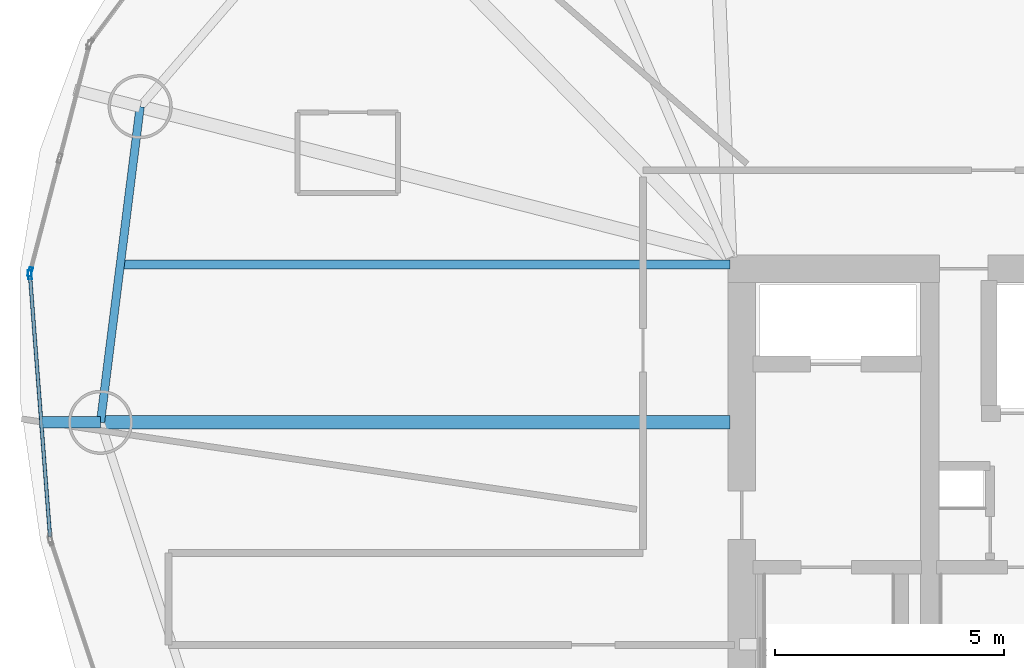
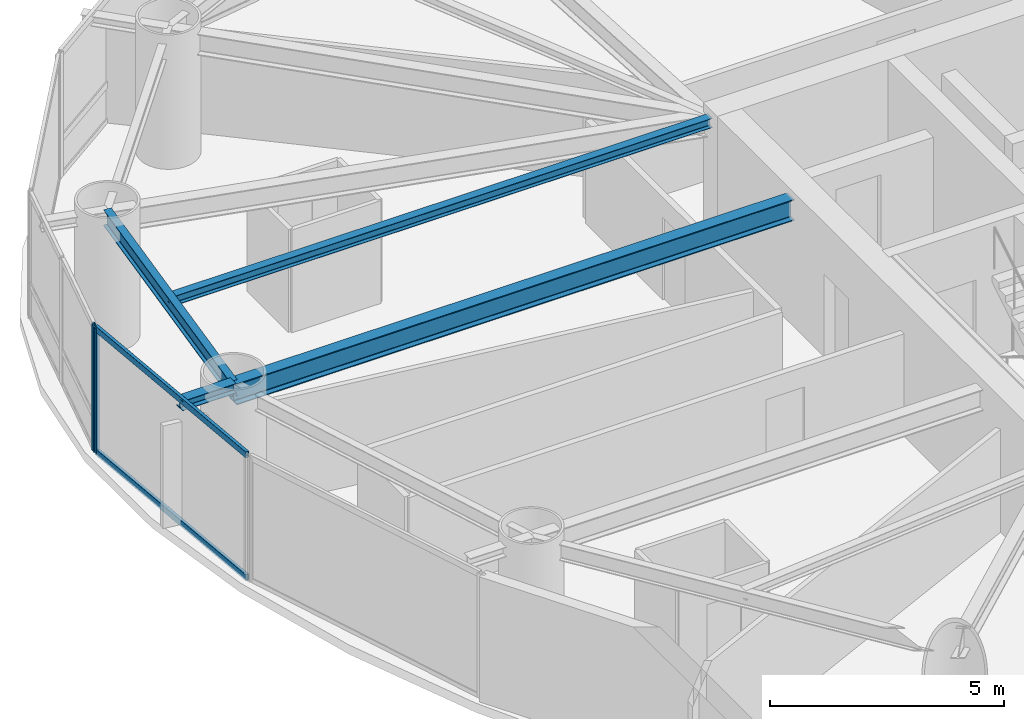
# One storey, part 6 of 22: 4 beams, 4 members, 2 elements without a shape of their own.
"""IFC4 building model written with IfcOpenShell, lengths in metres."""

from ifc_helpers import new_model, si_unit, direction, frame, origin, origin_2d, place, context, subcontext, project, spatial, hollow_rectangle, i_section, extrude, material, layer, layer_set, material_profile, profile_set, type_object, element, aggregate, save


model = new_model("IFC4")

# Units and contexts
model_context = context("Model", 3, precision=1e-05, world=origin(), true_north=direction((0.0, 1.0)))
body_context = subcontext(model_context, "Body", "Model", "MODEL_VIEW")
ifc_project = project(units=[si_unit("LENGTHUNIT", "METRE"), si_unit("AREAUNIT", "SQUARE_METRE"), si_unit("VOLUMEUNIT", "CUBIC_METRE"), si_unit("PLANEANGLEUNIT", "RADIAN"), si_unit("MASSUNIT", "GRAM", prefix="KILO")], contexts=[model_context])

# Site, building, storey
site_placement = place(None, origin())
site = spatial("IfcSite", under=ifc_project, at=site_placement, CompositionType="ELEMENT")
building_placement = place(site_placement, origin())
building = spatial("IfcBuilding", under=site, at=building_placement, Name="Bramvorn Convention Spire", CompositionType="ELEMENT")
storey_placement = place(building_placement, frame((0.0, 0.0, 134.300048828125)))
storey = spatial("IfcBuildingStorey", under=building, at=storey_placement, Name="L33", CompositionType="ELEMENT", Elevation=134.300048828125)

# Beams
ifc_material_1 = material(Name="Steel CSA G40.21 Grade 350 (350W)", Category="steel")
ifc_material_profile_1 = material_profile(ifc_material_1, i_section(OverallWidth=0.201904296875, OverallDepth=0.2470703125, WebThickness=0.00732421875, FlangeThickness=0.010986328125, FilletRadius=0.011962890625, at=origin_2d()))
ifc_profile_set_1 = profile_set([ifc_material_profile_1], Name="Steel CSA G40.21 Grade 350 (350W) - W250X49")
beam_type_1 = type_object("IfcBeamType", Name="BM-W250X49", PredefinedType="JOIST", material=ifc_profile_set_1)
beam_1_placement = place(storey_placement, frame((26.75, 33.294921875, 3.136474609375), z_axis=(-1.0, 0.0, 0.0), x_axis=(0.0, -1.0, 0.0)))
element("IfcBeam", 1, at=beam_1_placement, inside=storey, type_object=beam_type_1, Name="L33 composite floor joist 09", PredefinedType="JOIST", context=body_context, shape_type="SweptSolid", body=[
    extrude(i_section(OverallWidth=0.201904296875, OverallDepth=0.2470703125, WebThickness=0.00732421875, FlangeThickness=0.010986328125, FilletRadius=0.011962890625, at=origin_2d()), origin(), (0.0, 0.0, 1.0), 13.30078125),
])
ifc_material_profile_2 = material_profile(ifc_material_1, i_section(OverallWidth=0.25390625, OverallDepth=0.2529296875, WebThickness=0.008544921875, FlangeThickness=0.01416015625, FilletRadius=0.011962890625, at=origin_2d()))
ifc_profile_set_2 = profile_set([ifc_material_profile_2], Name="Steel CSA G40.21 Grade 350 (350W) - W250X73")
beam_type_2 = type_object("IfcBeamType", Name="BM-W250X73", PredefinedType="BEAM", material=ifc_profile_set_2)
beam_2_placement = place(storey_placement, frame((13.016357421875, 29.851806640625, 3.133544921875), z_axis=(-1.0, 0.0, 0.0), x_axis=(0.0, -1.0, 0.0)))
element("IfcBeam", 2, at=beam_2_placement, inside=storey, type_object=beam_type_2, Name="L33 slab-edge cantilever tip beam MC10", PredefinedType="BEAM", context=body_context, shape_type="SweptSolid", body=[
    extrude(i_section(OverallWidth=0.25390625, OverallDepth=0.2529296875, WebThickness=0.008544921875, FlangeThickness=0.01416015625, FilletRadius=0.011962890625, at=origin_2d()), origin(), (0.0, 0.0, 1.0), 1.328125),
])
ifc_material_profile_3 = material_profile(ifc_material_1, i_section(OverallWidth=0.180908203125, OverallDepth=0.4169921875, WebThickness=0.010986328125, FlangeThickness=0.018310546875, FilletRadius=0.01611328125, at=origin_2d()))
ifc_profile_set_3 = profile_set([ifc_material_profile_3], Name="Steel CSA G40.21 Grade 350 (350W) - W410X85")
beam_type_3 = type_object("IfcBeamType", Name="BM-W410X85", PredefinedType="JOIST", material=ifc_profile_set_3)
beam_3_placement = place(storey_placement, frame((13.88232421875, 36.73779296875, 3.051513671875), z_axis=(-0.124775053879, -0.992185056292, 0.0), x_axis=(0.992185056292, -0.124775053879, 0.0)))
element("IfcBeam", 3, at=beam_3_placement, inside=storey, type_object=beam_type_3, Name="L33 mega-column ring beam 09", PredefinedType="JOIST", context=body_context, shape_type="SweptSolid", body=[
    extrude(i_section(OverallWidth=0.180908203125, OverallDepth=0.4169921875, WebThickness=0.010986328125, FlangeThickness=0.018310546875, FilletRadius=0.01611328125, at=origin_2d()), origin(), (0.0, 0.0, 1.0), 6.940185546875),
])
ifc_material_profile_4 = material_profile(ifc_material_1, i_section(OverallWidth=0.2919921875, OverallDepth=0.551025390625, WebThickness=0.01513671875, FlangeThickness=0.0244140625, FilletRadius=0.01904296875, at=origin_2d()))
ifc_profile_set_4 = profile_set([ifc_material_profile_4], Name="Steel CSA G40.21 Grade 350 (350W) - W530X182")
beam_type_4 = type_object("IfcBeamType", Name="BM-W530X182", PredefinedType="BEAM", material=ifc_profile_set_4)
beam_4_placement = place(storey_placement, frame((26.75, 29.851806640625, 2.984375), z_axis=(-1.0, 0.0, 0.0), x_axis=(0.0, -1.0, 0.0)))
element("IfcBeam", 4, at=beam_4_placement, inside=storey, type_object=beam_type_4, Name="L33 radial floor girder MC10", PredefinedType="BEAM", context=body_context, shape_type="SweptSolid", body=[
    extrude(i_section(OverallWidth=0.2919921875, OverallDepth=0.551025390625, WebThickness=0.01513671875, FlangeThickness=0.0244140625, FilletRadius=0.01904296875, at=origin_2d()), origin(), (0.0, 0.0, 1.0), 13.733642578125),
])

# Curtain wall, member
ifc_material_2 = material(Name="Anodised Bronze Unitised Curtain Wall", Category="aluminium")
ifc_layer = layer(ifc_material_2, 0.179931640625)
ifc_layer_set = layer_set([ifc_layer], Name="Anodised Bronze Unitised Curtain Wall - CW-HTL-FRIT")
curtain_wall_type = type_object("IfcCurtainWallType", Name="CW-HTL-FRIT", PredefinedType="USERDEFINED", material=ifc_layer_set)
curtain_wall_1_placement = place(storey_placement, origin())
curtain_wall_1 = element("IfcCurtainWall", 5, at=curtain_wall_1_placement, inside=storey, type_object=curtain_wall_type, Name="L33 fritted glass curtain wall 13", ObjectType="UNITISED CURTAIN WALL", PredefinedType="USERDEFINED")
ifc_material_3 = material(Name="Anodised Bronze Aluminium 6063-T6", Category="aluminium")
ifc_material_profile_5 = material_profile(ifc_material_3, hollow_rectangle(XDim=0.080078125, YDim=0.199951171875, WallThickness=0.00390625, InnerFilletRadius=0.0009765625, OuterFilletRadius=0.00390625, at=origin_2d()))
ifc_profile_set_5 = profile_set([ifc_material_profile_5], Name="Anodised Bronze Aluminium 6063-T6 - CWM80X200")
member_type_1 = type_object("IfcMemberType", Name="CW-MUL-180", PredefinedType="MULLION", material=ifc_profile_set_5)
member_1_placement = place(storey_placement, frame((11.483154296875, 33.133056640625, 0.0), z_axis=(0.0, 0.0, 1.0), x_axis=(-0.967834460542, 0.251587871305, 0.0)))
member_1 = element("IfcMember", 6, at=member_1_placement, type_object=member_type_1, Name="CW2 mullion 1", PredefinedType="MULLION", context=body_context, shape_type="SweptSolid", body=[
    extrude(hollow_rectangle(XDim=0.080078125, YDim=0.199951171875, WallThickness=0.00390625, InnerFilletRadius=0.0009765625, OuterFilletRadius=0.00390625, at=origin_2d()), origin(), (0.0, 0.0, 1.0), 3.260009765625),
])
aggregate(curtain_wall_1, [member_1])

# Curtain wall, members
curtain_wall_2_placement = place(storey_placement, origin())
curtain_wall_2 = element("IfcCurtainWall", 7, at=curtain_wall_2_placement, inside=storey, type_object=curtain_wall_type, Name="L33 fritted glass curtain wall 14", ObjectType="UNITISED CURTAIN WALL", PredefinedType="USERDEFINED")
member_2_placement = place(storey_placement, frame((11.477783203125, 33.073974609375, 0.0), z_axis=(0.0, 0.0, 1.0), x_axis=(-0.997063570546, -0.07657830169, 0.0)))
member_2 = element("IfcMember", 8, at=member_2_placement, type_object=member_type_1, Name="CW2 mullion 2", PredefinedType="MULLION", context=body_context, shape_type="SweptSolid", body=[
    extrude(hollow_rectangle(XDim=0.080078125, YDim=0.199951171875, WallThickness=0.00390625, InnerFilletRadius=0.0009765625, OuterFilletRadius=0.00390625, at=origin_2d()), origin(), (0.0, 0.0, 1.0), 3.260009765625),
])
ifc_material_profile_6 = material_profile(ifc_material_3, hollow_rectangle(XDim=0.080078125, YDim=0.159912109375, WallThickness=0.00390625, InnerFilletRadius=0.0009765625, OuterFilletRadius=0.00390625, at=origin_2d()))
ifc_profile_set_6 = profile_set([ifc_material_profile_6], Name="Anodised Bronze Aluminium 6063-T6 - CWT80X160")
member_type_2 = type_object("IfcMemberType", Name="CW-TRN-150", PredefinedType="USERDEFINED", material=ifc_profile_set_6)
member_3_placement = place(storey_placement, frame((11.916748046875, 27.35791015625, 0.030029296875), z_axis=(-0.076585195161, 0.997063041077, 0.0), x_axis=(-0.997063041077, -0.076585195161, 0.0)))
member_3 = element("IfcMember", 9, at=member_3_placement, type_object=member_type_2, Name="CW2 transom 1.1", ObjectType="TRANSOM", PredefinedType="USERDEFINED", context=body_context, shape_type="SweptSolid", body=[
    extrude(hollow_rectangle(XDim=0.080078125, YDim=0.159912109375, WallThickness=0.00390625, InnerFilletRadius=0.0009765625, OuterFilletRadius=0.00390625, at=origin_2d()), origin(), (0.0, 0.0, 1.0), 5.703125),
])
member_4_placement = place(storey_placement, frame((11.916748046875, 27.35791015625, 3.22998046875), z_axis=(-0.076585195161, 0.997063041077, 0.0), x_axis=(-0.997063041077, -0.076585195161, 0.0)))
member_4 = element("IfcMember", 10, at=member_4_placement, type_object=member_type_2, Name="CW2 transom 1.2", ObjectType="TRANSOM", PredefinedType="USERDEFINED", context=body_context, shape_type="SweptSolid", body=[
    extrude(hollow_rectangle(XDim=0.080078125, YDim=0.159912109375, WallThickness=0.00390625, InnerFilletRadius=0.0009765625, OuterFilletRadius=0.00390625, at=origin_2d()), origin(), (0.0, 0.0, 1.0), 5.703125),
])
aggregate(curtain_wall_2, [member_2, member_3, member_4])

save(model, "model.ifc")
